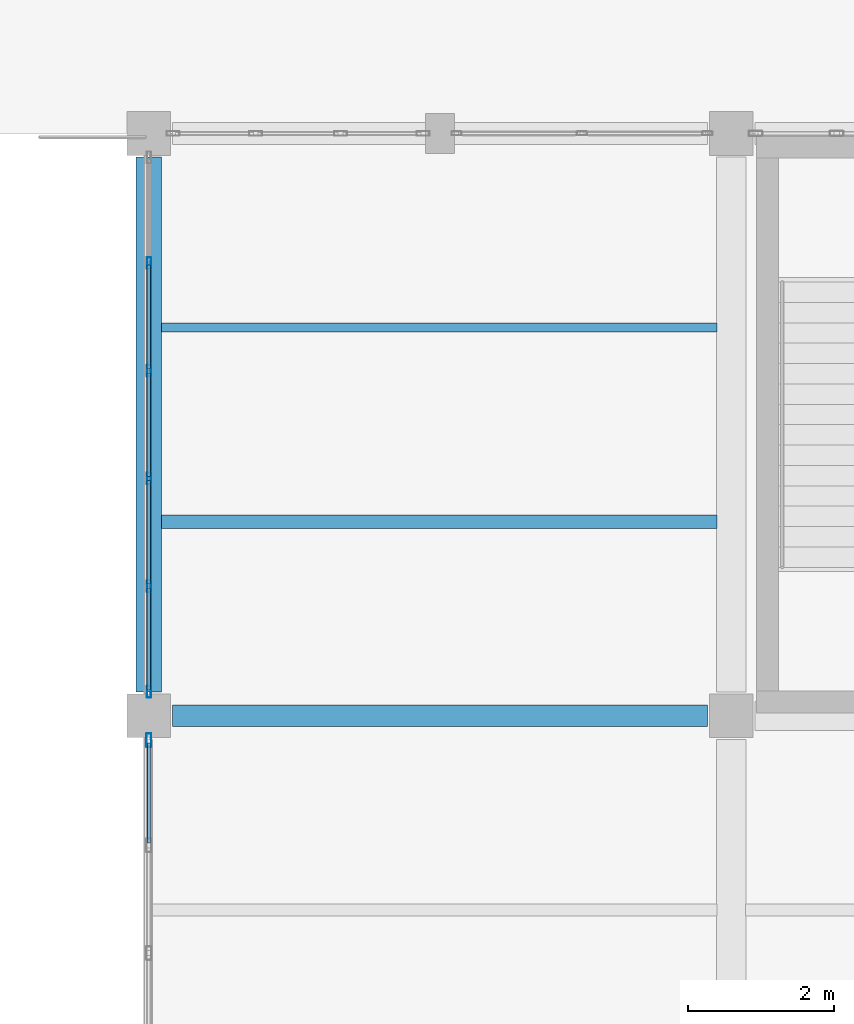
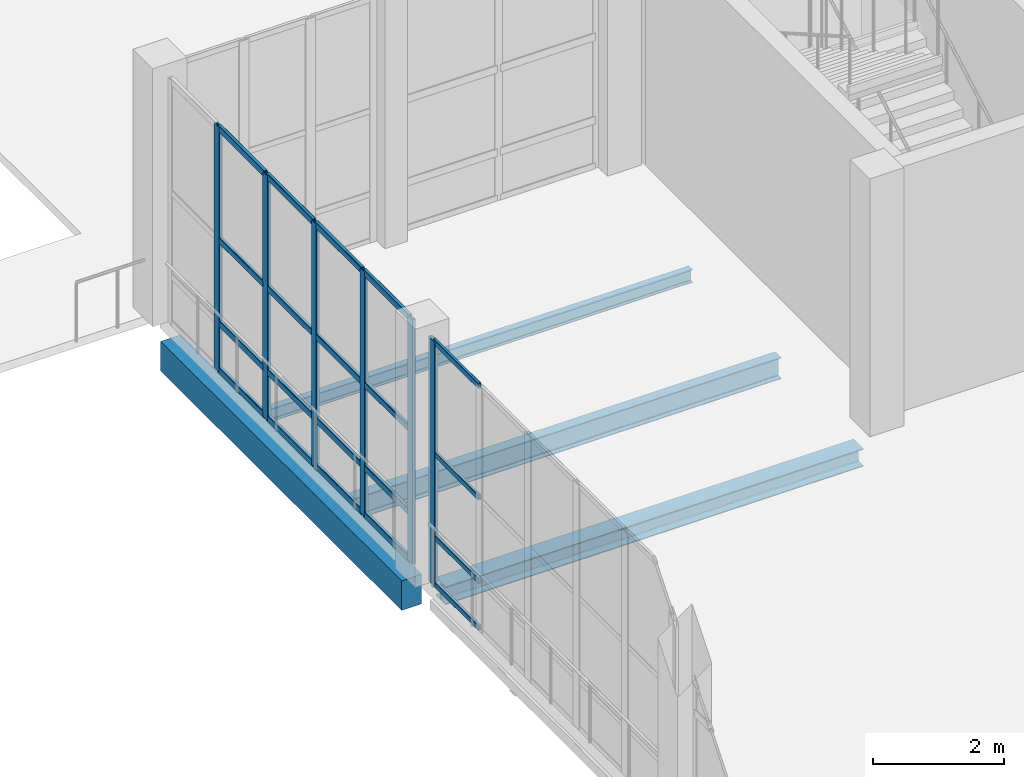
# One storey, part 45 of 156: 26 members, 4 beams, 2 elements without a shape of their own.
"""IFC4 building model written with IfcOpenShell, lengths in metres."""

from ifc_helpers import new_model, si_unit, direction, frame, origin, origin_2d, place, context, subcontext, project, spatial, rectangle, hollow_rectangle, i_section, extrude, material, material_profile, profile_set, type_object, element, aggregate, save


model = new_model("IFC4")

# Units and contexts
model_context = context("Model", 3, precision=1e-05, world=origin(), true_north=direction((0.0, 1.0)))
body_context = subcontext(model_context, "Body", "Model", "MODEL_VIEW")
ifc_project = project(units=[si_unit("LENGTHUNIT", "METRE"), si_unit("AREAUNIT", "SQUARE_METRE"), si_unit("VOLUMEUNIT", "CUBIC_METRE"), si_unit("PLANEANGLEUNIT", "RADIAN"), si_unit("MASSUNIT", "GRAM", prefix="KILO")], contexts=[model_context])

# Site, building, storey
site_placement = place(None, origin())
site = spatial("IfcSite", under=ifc_project, at=site_placement, CompositionType="ELEMENT")
building_placement = place(site_placement, origin())
building = spatial("IfcBuilding", under=site, at=building_placement, Name="Luwemba Playhouse", CompositionType="ELEMENT")
storey_placement = place(building_placement, origin())
storey = spatial("IfcBuildingStorey", under=building, at=storey_placement, Name="L00", CompositionType="ELEMENT", Elevation=0.0)

# Beams
ifc_material_1 = material(Name="Steel S355", Category="steel")
ifc_material_profile_1 = material_profile(ifc_material_1, i_section(OverallWidth=0.300048828125, OverallDepth=0.330078125, WebThickness=0.009521484375, FlangeThickness=0.0166015625, FilletRadius=0.027099609375, at=origin_2d()))
ifc_profile_set_1 = profile_set([ifc_material_profile_1], Name="Steel S355")
beam_type_1 = type_object("IfcBeamType", Name="BM-SB04", PredefinedType="BEAM", material=ifc_profile_set_1)
beam_1_placement = place(storey_placement, frame((116.324951171875, 19.0, -0.465087890625), z_axis=(1.0, 0.0, 0.0), x_axis=(0.0, 1.0, 0.0)))
element("IfcBeam", 1, at=beam_1_placement, inside=storey, type_object=beam_type_1, Name="L00 grid girder 0216", PredefinedType="BEAM", context=body_context, shape_type="SweptSolid", body=[
    extrude(i_section(OverallWidth=0.300048828125, OverallDepth=0.330078125, WebThickness=0.009521484375, FlangeThickness=0.0166015625, FilletRadius=0.027099609375, at=origin_2d()), origin(), (0.0, 0.0, 1.0), 7.35009765625),
])
ifc_material_profile_2 = material_profile(ifc_material_1, i_section(OverallWidth=0.1201171875, OverallDepth=0.239990234375, WebThickness=0.006103515625, FlangeThickness=0.009765625, FilletRadius=0.014892578125, at=origin_2d()))
ifc_profile_set_2 = profile_set([ifc_material_profile_2], Name="Steel S355")
beam_type_2 = type_object("IfcBeamType", Name="BM-SJ03", PredefinedType="JOIST", material=ifc_profile_set_2)
beam_2_placement = place(storey_placement, frame((116.1708984375, 24.333251953125, -0.419921875), z_axis=(1.0, 0.0, 0.0), x_axis=(0.0, 1.0, 0.0)))
element("IfcBeam", 2, at=beam_2_placement, inside=storey, type_object=beam_type_2, Name="L00 composite floor joist 0161", PredefinedType="JOIST", context=body_context, shape_type="SweptSolid", body=[
    extrude(i_section(OverallWidth=0.1201171875, OverallDepth=0.239990234375, WebThickness=0.006103515625, FlangeThickness=0.009765625, FilletRadius=0.014892578125, at=origin_2d()), origin(), (0.0, 0.0, 1.0), 7.633056640625),
])
ifc_material_profile_3 = material_profile(ifc_material_1, i_section(OverallWidth=0.179931640625, OverallDepth=0.39990234375, WebThickness=0.008544921875, FlangeThickness=0.013427734375, FilletRadius=0.02099609375, at=origin_2d()))
ifc_profile_set_3 = profile_set([ifc_material_profile_3], Name="Steel S355")
beam_type_3 = type_object("IfcBeamType", Name="BM-SJ08", PredefinedType="JOIST", material=ifc_profile_set_3)
beam_3_placement = place(storey_placement, frame((116.1708984375, 21.666748046875, -0.5), z_axis=(1.0, 0.0, 0.0), x_axis=(0.0, 1.0, 0.0)))
element("IfcBeam", 3, at=beam_3_placement, inside=storey, type_object=beam_type_3, Name="L00 composite floor joist 0160", PredefinedType="JOIST", context=body_context, shape_type="SweptSolid", body=[
    extrude(i_section(OverallWidth=0.179931640625, OverallDepth=0.39990234375, WebThickness=0.008544921875, FlangeThickness=0.013427734375, FilletRadius=0.02099609375, at=origin_2d()), origin(), (0.0, 0.0, 1.0), 7.633056640625),
])
ifc_material_2 = material(Name="Concrete C40/50", Category="concrete")
ifc_material_profile_4 = material_profile(ifc_material_2, rectangle(XDim=0.35009765625, YDim=0.550048828125, at=origin_2d()))
ifc_profile_set_4 = profile_set([ifc_material_profile_4], Name="Concrete C40/50")
beam_type_4 = type_object("IfcBeamType", Name="BM-SP2", PredefinedType="SPANDREL", material=ifc_profile_set_4)
beam_4_placement = place(storey_placement, frame((116.0, 19.324951171875, -0.574951171875), z_axis=(0.0, 1.0, 0.0), x_axis=(-1.0, 0.0, 0.0)))
element("IfcBeam", 4, at=beam_4_placement, inside=storey, type_object=beam_type_4, Name="L00 transverse girder 0232", PredefinedType="SPANDREL", context=body_context, shape_type="SweptSolid", body=[
    extrude(rectangle(XDim=0.35009765625, YDim=0.550048828125, at=origin_2d()), origin(), (0.0, 0.0, 1.0), 7.35009765625),
])

# Curtain wall, members
ifc_material_3 = material(Name="Solar-control double glazing", Category="glass")
curtain_wall_type_1 = type_object("IfcCurtainWallType", Name="CW-CW46", PredefinedType="USERDEFINED", material=ifc_material_3)
curtain_wall_1_placement = place(storey_placement, origin())
curtain_wall_1 = element("IfcCurtainWall", 5, at=curtain_wall_1_placement, inside=storey, type_object=curtain_wall_type_1, Name="L00 V5E unitised curtain wall 055", ObjectType="UNITISED GLAZING", PredefinedType="USERDEFINED")
ifc_material_4 = material(Name="Aluminium 6063-T6", Category="aluminium")
ifc_material_profile_5 = material_profile(ifc_material_4, hollow_rectangle(XDim=0.06005859375, YDim=0.159912109375, WallThickness=0.00390625, InnerFilletRadius=0.006103515625, OuterFilletRadius=0.010009765625, at=origin_2d()))
ifc_profile_set_5 = profile_set([ifc_material_profile_5], Name="Aluminium 6063-T6")
member_type_1 = type_object("IfcMemberType", Name="CWM-M1", PredefinedType="MULLION", material=ifc_profile_set_5)
member_1_placement = place(storey_placement, frame((116.0, 19.330078125, 0.0), z_axis=(0.0, 0.0, 1.0), x_axis=(-1.0, 0.0, 0.0)))
member_1 = element("IfcMember", 6, at=member_1_placement, type_object=member_type_1, Name="CW46 mullion 1", PredefinedType="MULLION", context=body_context, shape_type="SweptSolid", body=[
    extrude(hollow_rectangle(XDim=0.06005859375, YDim=0.159912109375, WallThickness=0.00390625, InnerFilletRadius=0.006103515625, OuterFilletRadius=0.010009765625, at=origin_2d()), origin(), (0.0, 0.0, 1.0), 4.550048828125),
])
member_2_placement = place(storey_placement, frame((116.0, 20.780029296875, 0.0), z_axis=(0.0, 0.0, 1.0), x_axis=(-1.0, 0.0, 0.0)))
member_2 = element("IfcMember", 7, at=member_2_placement, type_object=member_type_1, Name="CW46 mullion 2", PredefinedType="MULLION", context=body_context, shape_type="SweptSolid", body=[
    extrude(hollow_rectangle(XDim=0.06005859375, YDim=0.159912109375, WallThickness=0.00390625, InnerFilletRadius=0.006103515625, OuterFilletRadius=0.010009765625, at=origin_2d()), origin(), (0.0, 0.0, 1.0), 4.550048828125),
])
member_3_placement = place(storey_placement, frame((116.0, 22.260009765625, 0.0), z_axis=(0.0, 0.0, 1.0), x_axis=(-1.0, 0.0, 0.0)))
member_3 = element("IfcMember", 8, at=member_3_placement, type_object=member_type_1, Name="CW46 mullion 3", PredefinedType="MULLION", context=body_context, shape_type="SweptSolid", body=[
    extrude(hollow_rectangle(XDim=0.06005859375, YDim=0.159912109375, WallThickness=0.00390625, InnerFilletRadius=0.006103515625, OuterFilletRadius=0.010009765625, at=origin_2d()), origin(), (0.0, 0.0, 1.0), 4.550048828125),
])
member_4_placement = place(storey_placement, frame((116.0, 23.739990234375, 0.0), z_axis=(0.0, 0.0, 1.0), x_axis=(-1.0, 0.0, 0.0)))
member_4 = element("IfcMember", 9, at=member_4_placement, type_object=member_type_1, Name="CW46 mullion 4", PredefinedType="MULLION", context=body_context, shape_type="SweptSolid", body=[
    extrude(hollow_rectangle(XDim=0.06005859375, YDim=0.159912109375, WallThickness=0.00390625, InnerFilletRadius=0.006103515625, OuterFilletRadius=0.010009765625, at=origin_2d()), origin(), (0.0, 0.0, 1.0), 4.550048828125),
])
member_5_placement = place(storey_placement, frame((116.0, 25.219970703125, 0.0), z_axis=(0.0, 0.0, 1.0), x_axis=(-1.0, 0.0, 0.0)))
member_5 = element("IfcMember", 10, at=member_5_placement, type_object=member_type_1, Name="CW46 mullion 5", PredefinedType="MULLION", context=body_context, shape_type="SweptSolid", body=[
    extrude(hollow_rectangle(XDim=0.06005859375, YDim=0.159912109375, WallThickness=0.00390625, InnerFilletRadius=0.006103515625, OuterFilletRadius=0.010009765625, at=origin_2d()), origin(), (0.0, 0.0, 1.0), 4.550048828125),
])

# Curtain wall, member
curtain_wall_type_2 = type_object("IfcCurtainWallType", Name="CW-CW45", PredefinedType="USERDEFINED", material=ifc_material_3)
curtain_wall_2_placement = place(storey_placement, origin())
curtain_wall_2 = element("IfcCurtainWall", 11, at=curtain_wall_2_placement, inside=storey, type_object=curtain_wall_type_2, Name="L00 V5E unitised curtain wall 054", ObjectType="UNITISED GLAZING", PredefinedType="USERDEFINED")
ifc_material_profile_6 = material_profile(ifc_material_4, hollow_rectangle(XDim=0.070068359375, YDim=0.18994140625, WallThickness=0.0048828125, InnerFilletRadius=0.007568359375, OuterFilletRadius=0.012451171875, at=origin_2d()))
ifc_profile_set_6 = profile_set([ifc_material_profile_6], Name="Aluminium 6063-T6")
member_type_2 = type_object("IfcMemberType", Name="CWM-M4", PredefinedType="MULLION", material=ifc_profile_set_6)
member_6_placement = place(storey_placement, frame((116.0, 18.6650390625, 0.0), z_axis=(0.0, 0.0, 1.0), x_axis=(-1.0, 0.0, 0.0)))
member_6 = element("IfcMember", 12, at=member_6_placement, type_object=member_type_2, Name="CW45 mullion 6", PredefinedType="MULLION", context=body_context, shape_type="SweptSolid", body=[
    extrude(hollow_rectangle(XDim=0.070068359375, YDim=0.18994140625, WallThickness=0.0048828125, InnerFilletRadius=0.007568359375, OuterFilletRadius=0.012451171875, at=origin_2d()), origin(), (0.0, 0.0, 1.0), 4.550048828125),
])

# Member
ifc_material_profile_7 = material_profile(ifc_material_4, hollow_rectangle(XDim=0.06005859375, YDim=0.1201171875, WallThickness=0.00390625, InnerFilletRadius=0.006103515625, OuterFilletRadius=0.010009765625, at=origin_2d()))
ifc_profile_set_7 = profile_set([ifc_material_profile_7], Name="Aluminium 6063-T6")
member_type_3 = type_object("IfcMemberType", Name="CWT-T1", PredefinedType="USERDEFINED", material=ifc_profile_set_7)
member_7_placement = place(storey_placement, frame((116.0, 19.360107421875, 0.030029296875), z_axis=(0.0, 1.0, 0.0), x_axis=(-1.0, 0.0, 0.0)))
member_7 = element("IfcMember", 13, at=member_7_placement, type_object=member_type_3, Name="CW46 transom 1.1", ObjectType="TRANSOM", PredefinedType="USERDEFINED", context=body_context, shape_type="SweptSolid", body=[
    extrude(hollow_rectangle(XDim=0.06005859375, YDim=0.1201171875, WallThickness=0.00390625, InnerFilletRadius=0.006103515625, OuterFilletRadius=0.010009765625, at=origin_2d()), origin(), (0.0, 0.0, 1.0), 1.389892578125),
])

member_8_placement = place(storey_placement, frame((116.0, 19.360107421875, 0.89990234375), z_axis=(0.0, 1.0, 0.0), x_axis=(-1.0, 0.0, 0.0)))
member_8 = element("IfcMember", 14, at=member_8_placement, type_object=member_type_3, Name="CW46 transom 1.2", ObjectType="TRANSOM", PredefinedType="USERDEFINED", context=body_context, shape_type="SweptSolid", body=[
    extrude(hollow_rectangle(XDim=0.06005859375, YDim=0.1201171875, WallThickness=0.00390625, InnerFilletRadius=0.006103515625, OuterFilletRadius=0.010009765625, at=origin_2d()), origin(), (0.0, 0.0, 1.0), 1.389892578125),
])

member_9_placement = place(storey_placement, frame((116.0, 19.360107421875, 2.449951171875), z_axis=(0.0, 1.0, 0.0), x_axis=(-1.0, 0.0, 0.0)))
member_9 = element("IfcMember", 15, at=member_9_placement, type_object=member_type_3, Name="CW46 transom 1.3", ObjectType="TRANSOM", PredefinedType="USERDEFINED", context=body_context, shape_type="SweptSolid", body=[
    extrude(hollow_rectangle(XDim=0.06005859375, YDim=0.1201171875, WallThickness=0.00390625, InnerFilletRadius=0.006103515625, OuterFilletRadius=0.010009765625, at=origin_2d()), origin(), (0.0, 0.0, 1.0), 1.389892578125),
])

member_10_placement = place(storey_placement, frame((116.0, 19.360107421875, 4.52001953125), z_axis=(0.0, 1.0, 0.0), x_axis=(-1.0, 0.0, 0.0)))
member_10 = element("IfcMember", 16, at=member_10_placement, type_object=member_type_3, Name="CW46 transom 1.4", ObjectType="TRANSOM", PredefinedType="USERDEFINED", context=body_context, shape_type="SweptSolid", body=[
    extrude(hollow_rectangle(XDim=0.06005859375, YDim=0.1201171875, WallThickness=0.00390625, InnerFilletRadius=0.006103515625, OuterFilletRadius=0.010009765625, at=origin_2d()), origin(), (0.0, 0.0, 1.0), 1.389892578125),
])

member_11_placement = place(storey_placement, frame((116.0, 20.81005859375, 0.030029296875), z_axis=(0.0, 1.0, 0.0), x_axis=(-1.0, 0.0, 0.0)))
member_11 = element("IfcMember", 17, at=member_11_placement, type_object=member_type_3, Name="CW46 transom 2.1", ObjectType="TRANSOM", PredefinedType="USERDEFINED", context=body_context, shape_type="SweptSolid", body=[
    extrude(hollow_rectangle(XDim=0.06005859375, YDim=0.1201171875, WallThickness=0.00390625, InnerFilletRadius=0.006103515625, OuterFilletRadius=0.010009765625, at=origin_2d()), origin(), (0.0, 0.0, 1.0), 1.419921875),
])

member_12_placement = place(storey_placement, frame((116.0, 20.81005859375, 0.89990234375), z_axis=(0.0, 1.0, 0.0), x_axis=(-1.0, 0.0, 0.0)))
member_12 = element("IfcMember", 18, at=member_12_placement, type_object=member_type_3, Name="CW46 transom 2.2", ObjectType="TRANSOM", PredefinedType="USERDEFINED", context=body_context, shape_type="SweptSolid", body=[
    extrude(hollow_rectangle(XDim=0.06005859375, YDim=0.1201171875, WallThickness=0.00390625, InnerFilletRadius=0.006103515625, OuterFilletRadius=0.010009765625, at=origin_2d()), origin(), (0.0, 0.0, 1.0), 1.419921875),
])

member_13_placement = place(storey_placement, frame((116.0, 20.81005859375, 2.449951171875), z_axis=(0.0, 1.0, 0.0), x_axis=(-1.0, 0.0, 0.0)))
member_13 = element("IfcMember", 19, at=member_13_placement, type_object=member_type_3, Name="CW46 transom 2.3", ObjectType="TRANSOM", PredefinedType="USERDEFINED", context=body_context, shape_type="SweptSolid", body=[
    extrude(hollow_rectangle(XDim=0.06005859375, YDim=0.1201171875, WallThickness=0.00390625, InnerFilletRadius=0.006103515625, OuterFilletRadius=0.010009765625, at=origin_2d()), origin(), (0.0, 0.0, 1.0), 1.419921875),
])

member_14_placement = place(storey_placement, frame((116.0, 20.81005859375, 4.52001953125), z_axis=(0.0, 1.0, 0.0), x_axis=(-1.0, 0.0, 0.0)))
member_14 = element("IfcMember", 20, at=member_14_placement, type_object=member_type_3, Name="CW46 transom 2.4", ObjectType="TRANSOM", PredefinedType="USERDEFINED", context=body_context, shape_type="SweptSolid", body=[
    extrude(hollow_rectangle(XDim=0.06005859375, YDim=0.1201171875, WallThickness=0.00390625, InnerFilletRadius=0.006103515625, OuterFilletRadius=0.010009765625, at=origin_2d()), origin(), (0.0, 0.0, 1.0), 1.419921875),
])

member_15_placement = place(storey_placement, frame((116.0, 22.2900390625, 0.030029296875), z_axis=(0.0, 1.0, 0.0), x_axis=(-1.0, 0.0, 0.0)))
member_15 = element("IfcMember", 21, at=member_15_placement, type_object=member_type_3, Name="CW46 transom 3.1", ObjectType="TRANSOM", PredefinedType="USERDEFINED", context=body_context, shape_type="SweptSolid", body=[
    extrude(hollow_rectangle(XDim=0.06005859375, YDim=0.1201171875, WallThickness=0.00390625, InnerFilletRadius=0.006103515625, OuterFilletRadius=0.010009765625, at=origin_2d()), origin(), (0.0, 0.0, 1.0), 1.419921875),
])

member_16_placement = place(storey_placement, frame((116.0, 22.2900390625, 0.89990234375), z_axis=(0.0, 1.0, 0.0), x_axis=(-1.0, 0.0, 0.0)))
member_16 = element("IfcMember", 22, at=member_16_placement, type_object=member_type_3, Name="CW46 transom 3.2", ObjectType="TRANSOM", PredefinedType="USERDEFINED", context=body_context, shape_type="SweptSolid", body=[
    extrude(hollow_rectangle(XDim=0.06005859375, YDim=0.1201171875, WallThickness=0.00390625, InnerFilletRadius=0.006103515625, OuterFilletRadius=0.010009765625, at=origin_2d()), origin(), (0.0, 0.0, 1.0), 1.419921875),
])

member_17_placement = place(storey_placement, frame((116.0, 22.2900390625, 2.449951171875), z_axis=(0.0, 1.0, 0.0), x_axis=(-1.0, 0.0, 0.0)))
member_17 = element("IfcMember", 23, at=member_17_placement, type_object=member_type_3, Name="CW46 transom 3.3", ObjectType="TRANSOM", PredefinedType="USERDEFINED", context=body_context, shape_type="SweptSolid", body=[
    extrude(hollow_rectangle(XDim=0.06005859375, YDim=0.1201171875, WallThickness=0.00390625, InnerFilletRadius=0.006103515625, OuterFilletRadius=0.010009765625, at=origin_2d()), origin(), (0.0, 0.0, 1.0), 1.419921875),
])

member_18_placement = place(storey_placement, frame((116.0, 22.2900390625, 4.52001953125), z_axis=(0.0, 1.0, 0.0), x_axis=(-1.0, 0.0, 0.0)))
member_18 = element("IfcMember", 24, at=member_18_placement, type_object=member_type_3, Name="CW46 transom 3.4", ObjectType="TRANSOM", PredefinedType="USERDEFINED", context=body_context, shape_type="SweptSolid", body=[
    extrude(hollow_rectangle(XDim=0.06005859375, YDim=0.1201171875, WallThickness=0.00390625, InnerFilletRadius=0.006103515625, OuterFilletRadius=0.010009765625, at=origin_2d()), origin(), (0.0, 0.0, 1.0), 1.419921875),
])

member_19_placement = place(storey_placement, frame((116.0, 23.77001953125, 0.030029296875), z_axis=(0.0, 1.0, 0.0), x_axis=(-1.0, 0.0, 0.0)))
member_19 = element("IfcMember", 25, at=member_19_placement, type_object=member_type_3, Name="CW46 transom 4.1", ObjectType="TRANSOM", PredefinedType="USERDEFINED", context=body_context, shape_type="SweptSolid", body=[
    extrude(hollow_rectangle(XDim=0.06005859375, YDim=0.1201171875, WallThickness=0.00390625, InnerFilletRadius=0.006103515625, OuterFilletRadius=0.010009765625, at=origin_2d()), origin(), (0.0, 0.0, 1.0), 1.419921875),
])

member_20_placement = place(storey_placement, frame((116.0, 23.77001953125, 0.89990234375), z_axis=(0.0, 1.0, 0.0), x_axis=(-1.0, 0.0, 0.0)))
member_20 = element("IfcMember", 26, at=member_20_placement, type_object=member_type_3, Name="CW46 transom 4.2", ObjectType="TRANSOM", PredefinedType="USERDEFINED", context=body_context, shape_type="SweptSolid", body=[
    extrude(hollow_rectangle(XDim=0.06005859375, YDim=0.1201171875, WallThickness=0.00390625, InnerFilletRadius=0.006103515625, OuterFilletRadius=0.010009765625, at=origin_2d()), origin(), (0.0, 0.0, 1.0), 1.419921875),
])

member_21_placement = place(storey_placement, frame((116.0, 23.77001953125, 2.449951171875), z_axis=(0.0, 1.0, 0.0), x_axis=(-1.0, 0.0, 0.0)))
member_21 = element("IfcMember", 27, at=member_21_placement, type_object=member_type_3, Name="CW46 transom 4.3", ObjectType="TRANSOM", PredefinedType="USERDEFINED", context=body_context, shape_type="SweptSolid", body=[
    extrude(hollow_rectangle(XDim=0.06005859375, YDim=0.1201171875, WallThickness=0.00390625, InnerFilletRadius=0.006103515625, OuterFilletRadius=0.010009765625, at=origin_2d()), origin(), (0.0, 0.0, 1.0), 1.419921875),
])

member_22_placement = place(storey_placement, frame((116.0, 23.77001953125, 4.52001953125), z_axis=(0.0, 1.0, 0.0), x_axis=(-1.0, 0.0, 0.0)))
member_22 = element("IfcMember", 28, at=member_22_placement, type_object=member_type_3, Name="CW46 transom 4.4", ObjectType="TRANSOM", PredefinedType="USERDEFINED", context=body_context, shape_type="SweptSolid", body=[
    extrude(hollow_rectangle(XDim=0.06005859375, YDim=0.1201171875, WallThickness=0.00390625, InnerFilletRadius=0.006103515625, OuterFilletRadius=0.010009765625, at=origin_2d()), origin(), (0.0, 0.0, 1.0), 1.419921875),
])

aggregate(curtain_wall_1, [member_1, member_2, member_3, member_4, member_5, member_7, member_8, member_9, member_10, member_11, member_12, member_13, member_14, member_15, member_16, member_17, member_18, member_19, member_20, member_21, member_22])

ifc_material_profile_8 = material_profile(ifc_material_4, hollow_rectangle(XDim=0.050048828125, YDim=0.10009765625, WallThickness=0.00341796875, InnerFilletRadius=0.00537109375, OuterFilletRadius=0.0087890625, at=origin_2d()))
ifc_profile_set_8 = profile_set([ifc_material_profile_8], Name="Aluminium 6063-T6")
member_type_4 = type_object("IfcMemberType", Name="CWT-T4", PredefinedType="USERDEFINED", material=ifc_profile_set_8)
member_23_placement = place(storey_placement, frame((116.0, 17.2548828125, 0.02490234375), z_axis=(0.0, 1.0, 0.0), x_axis=(-1.0, 0.0, 0.0)))
member_23 = element("IfcMember", 29, at=member_23_placement, type_object=member_type_4, Name="CW45 transom 5.1", ObjectType="TRANSOM", PredefinedType="USERDEFINED", context=body_context, shape_type="SweptSolid", body=[
    extrude(hollow_rectangle(XDim=0.050048828125, YDim=0.10009765625, WallThickness=0.00341796875, InnerFilletRadius=0.00537109375, OuterFilletRadius=0.0087890625, at=origin_2d()), origin(), (0.0, 0.0, 1.0), 1.375),
])

member_24_placement = place(storey_placement, frame((116.0, 17.2548828125, 0.89990234375), z_axis=(0.0, 1.0, 0.0), x_axis=(-1.0, 0.0, 0.0)))
member_24 = element("IfcMember", 30, at=member_24_placement, type_object=member_type_4, Name="CW45 transom 5.2", ObjectType="TRANSOM", PredefinedType="USERDEFINED", context=body_context, shape_type="SweptSolid", body=[
    extrude(hollow_rectangle(XDim=0.050048828125, YDim=0.10009765625, WallThickness=0.00341796875, InnerFilletRadius=0.00537109375, OuterFilletRadius=0.0087890625, at=origin_2d()), origin(), (0.0, 0.0, 1.0), 1.375),
])

member_25_placement = place(storey_placement, frame((116.0, 17.2548828125, 2.449951171875), z_axis=(0.0, 1.0, 0.0), x_axis=(-1.0, 0.0, 0.0)))
member_25 = element("IfcMember", 31, at=member_25_placement, type_object=member_type_4, Name="CW45 transom 5.3", ObjectType="TRANSOM", PredefinedType="USERDEFINED", context=body_context, shape_type="SweptSolid", body=[
    extrude(hollow_rectangle(XDim=0.050048828125, YDim=0.10009765625, WallThickness=0.00341796875, InnerFilletRadius=0.00537109375, OuterFilletRadius=0.0087890625, at=origin_2d()), origin(), (0.0, 0.0, 1.0), 1.375),
])

member_26_placement = place(storey_placement, frame((116.0, 17.2548828125, 4.52490234375), z_axis=(0.0, 1.0, 0.0), x_axis=(-1.0, 0.0, 0.0)))
member_26 = element("IfcMember", 32, at=member_26_placement, type_object=member_type_4, Name="CW45 transom 5.4", ObjectType="TRANSOM", PredefinedType="USERDEFINED", context=body_context, shape_type="SweptSolid", body=[
    extrude(hollow_rectangle(XDim=0.050048828125, YDim=0.10009765625, WallThickness=0.00341796875, InnerFilletRadius=0.00537109375, OuterFilletRadius=0.0087890625, at=origin_2d()), origin(), (0.0, 0.0, 1.0), 1.375),
])

aggregate(curtain_wall_2, [member_6, member_23, member_24, member_25, member_26])

save(model, "model.ifc")
